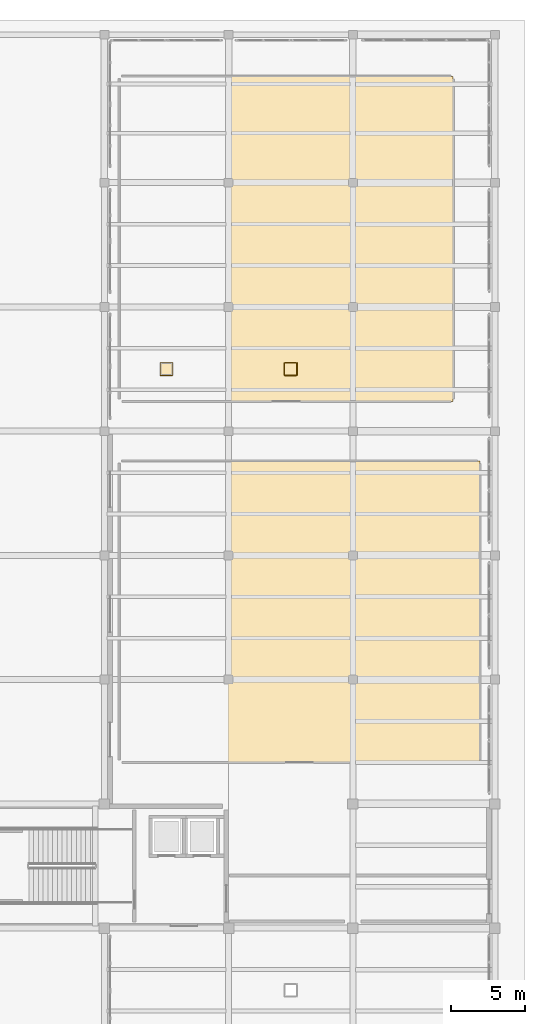
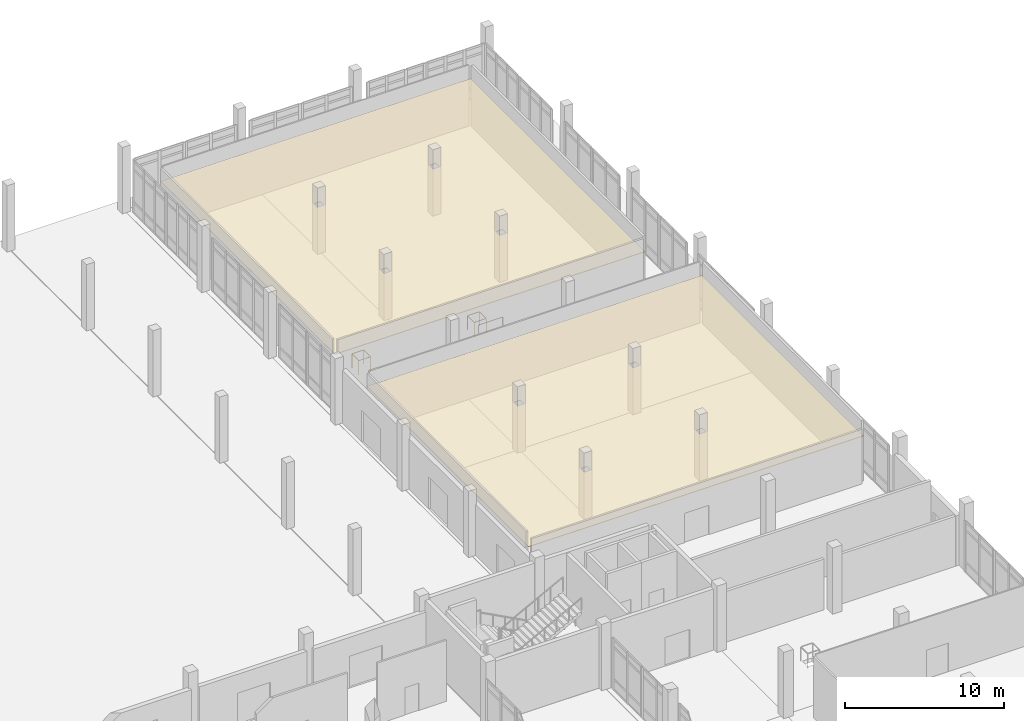
# One storey, part 63 of 64: 2 coverings, 2 railings.
"""IFC4 building model written with IfcOpenShell, lengths in metres."""

from ifc_helpers import new_model, si_unit, derived_unit, direction, frame, origin, origin_2d, place, context, subcontext, project, spatial, polyline, circle, outline, extrude, material, layer, layer_set, type_object, element, save


model = new_model("IFC4")

# Units and contexts
model_context = context("Model", 3, precision=1e-05, world=origin(), true_north=direction((0.0, 1.0)))
body_context = subcontext(model_context, "Body", "Model", "MODEL_VIEW")
ifc_project = project(units=[si_unit("LENGTHUNIT", "METRE"), si_unit("AREAUNIT", "SQUARE_METRE"), si_unit("VOLUMEUNIT", "CUBIC_METRE"), si_unit("PLANEANGLEUNIT", "RADIAN"), si_unit("MASSUNIT", "GRAM", prefix="KILO"), derived_unit("THERMALTRANSMITTANCEUNIT", [(si_unit("POWERUNIT", "WATT"), 1), (si_unit("LENGTHUNIT", "METRE"), -2), (si_unit("THERMODYNAMICTEMPERATUREUNIT", "KELVIN"), -1)])], contexts=[model_context])

# Site, building, storey
site_placement = place(None, origin())
site = spatial("IfcSite", under=ifc_project, at=site_placement, CompositionType="ELEMENT")
building_placement = place(site_placement, origin())
building = spatial("IfcBuilding", under=site, at=building_placement, Name="Elbkamm Science Centre", CompositionType="ELEMENT")
storey_placement = place(building_placement, origin())
storey = spatial("IfcBuildingStorey", under=building, at=storey_placement, Name="L00", CompositionType="ELEMENT", Elevation=0.0)

# Coverings
ifc_material_1 = material(Name="Perforated acoustic mineral fibre ceiling tile")
ifc_layer = layer(ifc_material_1, 0.0400390625)
ifc_layer_set = layer_set([ifc_layer], Name="Perforated acoustic mineral fibre ceiling tile")
covering_type = type_object("IfcCoveringType", Name="COV-CEIL-ACOUSTIC-40", PredefinedType="CEILING", material=ifc_layer_set)
covering_1_placement = place(storey_placement, frame((0.0, 0.0, 3.550048828125)))
element("IfcCovering", 1, at=covering_1_placement, inside=storey, type_object=covering_type, Name="L00 Science Education Prep Workshop Acoustic Ceiling", PredefinedType="CEILING", context=body_context, shape_type="SweptSolid", body=[
    extrude(outline(polyline([(135.419921875, 81.97998046875), (159.780029296875, 81.97998046875), (159.780029296875, 61.6201171875), (135.419921875, 61.6201171875), (135.419921875, 81.97998046875)]), holes=[polyline([(142.580078125, 67.419921875), (142.580078125, 66.97998046875), (143.02001953125, 66.97998046875), (143.02001953125, 67.419921875), (142.580078125, 67.419921875)]), polyline([(143.02001953125, 75.820068359375), (142.580078125, 75.820068359375), (142.580078125, 75.3798828125), (143.02001953125, 75.3798828125), (143.02001953125, 75.820068359375)]), polyline([(150.97998046875, 66.97998046875), (151.419921875, 66.97998046875), (151.419921875, 67.419921875), (150.97998046875, 67.419921875), (150.97998046875, 66.97998046875)]), polyline([(150.97998046875, 75.820068359375), (150.97998046875, 75.3798828125), (151.419921875, 75.3798828125), (151.419921875, 75.820068359375), (150.97998046875, 75.820068359375)])]), origin(), (0.0, 0.0, 1.0), 0.0400390625),
])
covering_2_placement = place(storey_placement, frame((0.0, 0.0, 3.550048828125)))
element("IfcCovering", 2, at=covering_2_placement, inside=storey, type_object=covering_type, Name="L00 Operations and Security Administration Office Acoustic Ceiling", PredefinedType="CEILING", context=body_context, shape_type="SweptSolid", body=[
    extrude(outline(polyline([(135.419921875, 107.97998046875), (157.97998046875, 107.97998046875), (157.97998046875, 86.02001953125), (135.419921875, 86.02001953125), (135.419921875, 107.97998046875)]), holes=[polyline([(142.580078125, 92.179931640625), (143.02001953125, 92.179931640625), (143.02001953125, 92.6201171875), (142.580078125, 92.6201171875), (142.580078125, 92.179931640625)]), polyline([(142.580078125, 101.02001953125), (142.580078125, 100.580078125), (143.02001953125, 100.580078125), (143.02001953125, 101.02001953125), (142.580078125, 101.02001953125)]), polyline([(151.419921875, 92.179931640625), (151.419921875, 92.6201171875), (150.97998046875, 92.6201171875), (150.97998046875, 92.179931640625), (151.419921875, 92.179931640625)]), polyline([(150.97998046875, 100.580078125), (151.419921875, 100.580078125), (151.419921875, 101.02001953125), (150.97998046875, 101.02001953125), (150.97998046875, 100.580078125)])]), origin(), (0.0, 0.0, 1.0), 0.0400390625),
])

# Railings
ifc_material_2 = material(Name="Stainless steel EN 1.4401", Category="steel")
railing_type = type_object("IfcRailingType", Name="RAIL-GUARD-1100", PredefinedType="GUARDRAIL", material=ifc_material_2)
railing_1_placement = place(storey_placement, frame((138.169921875, 87.77001953125, 0.0)))
element("IfcRailing", 3, at=railing_1_placement, inside=storey, type_object=railing_type, Name="L00 Service Riser Opening Guardrail 005", PredefinedType="GUARDRAIL", context=body_context, shape_type="SweptSolid", body=[
    extrude(circle(Radius=0.02392578125, at=origin_2d()), frame((0.0, 0.0, 1.078125), z_axis=(1.0, 0.0, 0.0), x_axis=(0.0, 1.0, 0.0)), (0.0, 0.0, 1.0), 0.830078125),
    extrude(circle(Radius=0.02392578125, at=origin_2d()), frame((0.860107421875, 0.030029296875, 1.078125), z_axis=(0.0, 1.0, 0.0), x_axis=(-1.0, 0.0, 0.0)), (0.0, 0.0, 1.0), 0.7998046875),
    extrude(circle(Radius=0.02392578125, at=origin_2d()), frame((0.830078125, 0.85986328125, 1.078125), z_axis=(-1.0, 0.0, 0.0), x_axis=(0.0, -1.0, 0.0)), (0.0, 0.0, 1.0), 0.800048828125),
    extrude(circle(Radius=0.02392578125, at=origin_2d()), frame((0.0, 0.829833984375, 1.078125), z_axis=(0.0, -1.0, 0.0), x_axis=(1.0, 0.0, 0.0)), (0.0, 0.0, 1.0), 0.829833984375),
    extrude(circle(Radius=0.02001953125, at=origin_2d()), origin(), (0.0, 0.0, 1.0), 1.048095703125),
    extrude(circle(Radius=0.02001953125, at=origin_2d()), frame((0.860107421875, 0.0, 0.0)), (0.0, 0.0, 1.0), 1.048095703125),
    extrude(circle(Radius=0.02001953125, at=origin_2d()), frame((0.860107421875, 0.85986328125, 0.0)), (0.0, 0.0, 1.0), 1.048095703125),
    extrude(circle(Radius=0.02001953125, at=origin_2d()), frame((0.0, 0.85986328125, 0.0)), (0.0, 0.0, 1.0), 1.048095703125),
])
railing_2_placement = place(storey_placement, frame((146.570068359375, 87.77001953125, 0.0)))
element("IfcRailing", 4, at=railing_2_placement, inside=storey, type_object=railing_type, Name="L00 Service Riser Opening Guardrail 008", PredefinedType="GUARDRAIL", context=body_context, shape_type="SweptSolid", body=[
    extrude(circle(Radius=0.02392578125, at=origin_2d()), frame((0.0, 0.0, 1.078125), z_axis=(1.0, 0.0, 0.0), x_axis=(0.0, 1.0, 0.0)), (0.0, 0.0, 1.0), 0.829833984375),
    extrude(circle(Radius=0.02392578125, at=origin_2d()), frame((0.85986328125, 0.030029296875, 1.078125), z_axis=(0.0, 1.0, 0.0), x_axis=(-1.0, 0.0, 0.0)), (0.0, 0.0, 1.0), 0.7998046875),
    extrude(circle(Radius=0.02392578125, at=origin_2d()), frame((0.829833984375, 0.85986328125, 1.078125), z_axis=(-1.0, 0.0, 0.0), x_axis=(0.0, -1.0, 0.0)), (0.0, 0.0, 1.0), 0.7998046875),
    extrude(circle(Radius=0.02392578125, at=origin_2d()), frame((0.0, 0.829833984375, 1.078125), z_axis=(0.0, -1.0, 0.0), x_axis=(1.0, 0.0, 0.0)), (0.0, 0.0, 1.0), 0.829833984375),
    extrude(circle(Radius=0.02001953125, at=origin_2d()), origin(), (0.0, 0.0, 1.0), 1.048095703125),
    extrude(circle(Radius=0.02001953125, at=origin_2d()), frame((0.85986328125, 0.0, 0.0)), (0.0, 0.0, 1.0), 1.048095703125),
    extrude(circle(Radius=0.02001953125, at=origin_2d()), frame((0.85986328125, 0.85986328125, 0.0)), (0.0, 0.0, 1.0), 1.048095703125),
    extrude(circle(Radius=0.02001953125, at=origin_2d()), frame((0.0, 0.85986328125, 0.0)), (0.0, 0.0, 1.0), 1.048095703125),
])

save(model, "model.ifc")
